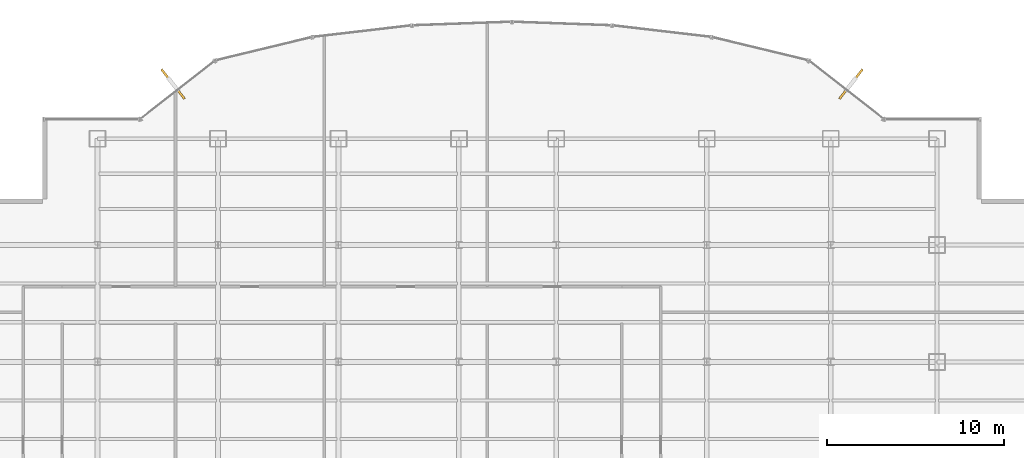
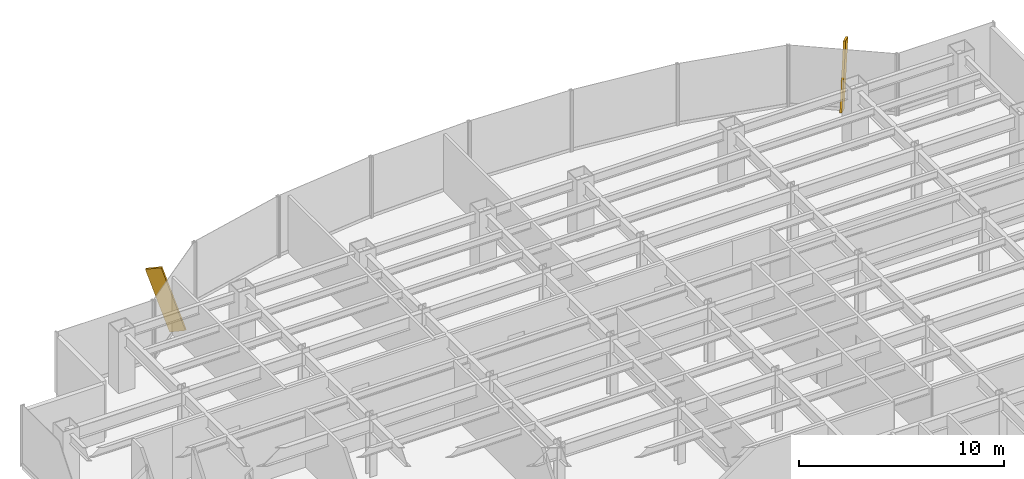
# One storey, part 22 of 23: 2 shading devices.
"""IFC4 building model written with IfcOpenShell, lengths in metres."""

import ifcopenshell
import ifcopenshell.guid

model = None  # the IFC model being written
_history = None  # IfcOwnerHistory: only IFC2X3 demands one
_inside = {}  # id of a spatial element -> (the spatial element, [elements in it])
_under = {}  # id of a project, library or spatial element -> (it, [spatial elements below it])
_declared = {}  # id of a project -> (the project, [libraries it declares])
_typed = {}  # id of a type object -> (the type object, [elements of that type])
_made_of = {}  # id of a material, layer set ... -> (it, [elements and type objects made of it])


def new_model(schema):
    """Start an empty IFC model of exactly this schema.

    Asked for "IFC4X3", IfcOpenShell would pick the latest addendum, in which some entities
    have other attributes; the version numbers below select the first issue.
    IFC2X3 requires an IfcOwnerHistory on every rooted entity: one is made here for all.
    """
    global model, _history
    if schema == "IFC4X3":
        model = ifcopenshell.file(schema_version=(4, 3, 0, 0))
    else:
        model = ifcopenshell.file(schema=schema)
    _inside.clear()
    _under.clear()
    _declared.clear()
    _typed.clear()
    _made_of.clear()
    _history = None
    if model.schema == "IFC2X3":
        org = make("IfcOrganization", Name="unknown")
        user = make(
            "IfcPersonAndOrganization",
            ThePerson=make("IfcPerson", FamilyName="unknown"),
            TheOrganization=org,
        )
        app = make(
            "IfcApplication",
            ApplicationDeveloper=org,
            Version="unknown",
            ApplicationFullName="unknown",
            ApplicationIdentifier="unknown",
        )
        _history = make(
            "IfcOwnerHistory",
            OwningUser=user,
            OwningApplication=app,
            ChangeAction="ADDED",
            CreationDate=0,
        )
    return model


def make(cls, **values):
    """One entity of the class cls with the attributes given. An attribute that is None is left unset."""
    return model.create_entity(
        cls, **{name: value for name, value in values.items() if value is not None}
    )


def rooted(cls, **values):
    """An entity with a GlobalId (a new one), such as an element, a storey or a relation."""
    return make(cls, GlobalId=ifcopenshell.guid.new(), OwnerHistory=_history, **values)


def si_unit(unit_type, name, prefix=None):
    """IfcSIUnit, for example si_unit("LENGTHUNIT", "METRE", prefix="MILLI")."""
    return make("IfcSIUnit", UnitType=unit_type, Prefix=prefix, Name=name)


def derived_unit(unit_type, elements):
    """IfcDerivedUnit: a product of units, each with its exponent."""
    return make(
        "IfcDerivedUnit",
        Elements=[
            make("IfcDerivedUnitElement", Unit=unit, Exponent=power)
            for unit, power in elements
        ],
        UnitType=unit_type,
    )


def assignment(units):
    """IfcUnitAssignment: the units of a project."""
    return None if units is None else make("IfcUnitAssignment", Units=units)


def point(xyz):
    """IfcCartesianPoint."""
    return None if xyz is None else make("IfcCartesianPoint", Coordinates=xyz)


def direction(xyz):
    """IfcDirection."""
    return None if xyz is None else make("IfcDirection", DirectionRatios=xyz)


def frame(location, z_axis=None, x_axis=None):
    """IfcAxis2Placement3D, a coordinate frame: its origin and axes. An axis left out is left unset."""
    return make(
        "IfcAxis2Placement3D",
        Location=point(location),
        Axis=direction(z_axis),
        RefDirection=direction(x_axis),
    )


def frame_2d(location, x_axis=None):
    """IfcAxis2Placement2D, a coordinate frame in the plane: its origin and x axis."""
    return make(
        "IfcAxis2Placement2D", Location=point(location), RefDirection=direction(x_axis)
    )


def origin():
    """The frame at (0, 0, 0) with its axes left unset."""
    return frame((0.0, 0.0, 0.0))


def origin_2d():
    """The frame at (0, 0) in the plane with its x axis left unset."""
    return frame_2d((0.0, 0.0))


def place(relative_to, where):
    """IfcLocalPlacement: puts the frame where relative to a parent placement (None: the world)."""
    return make(
        "IfcLocalPlacement", PlacementRelTo=relative_to, RelativePlacement=where
    )


def context(
    kind, dimensions, precision=None, world=None, true_north=None, identifier=None
):
    """IfcGeometricRepresentationContext, for example the 3D "Model" context."""
    return make(
        "IfcGeometricRepresentationContext",
        ContextIdentifier=identifier,
        ContextType=kind,
        CoordinateSpaceDimension=dimensions,
        Precision=precision,
        WorldCoordinateSystem=world,
        TrueNorth=true_north,
    )


def subcontext(parent, identifier, kind, view, scale=None):
    """IfcGeometricRepresentationSubContext, for example "Body" below "Model"."""
    return make(
        "IfcGeometricRepresentationSubContext",
        ContextIdentifier=identifier,
        ContextType=kind,
        ParentContext=parent,
        TargetScale=scale,
        TargetView=view,
    )


def project(units=None, contexts=None):
    """IfcProject with its units and contexts."""
    return rooted(
        "IfcProject",
        Name="project",
        RepresentationContexts=contexts,
        UnitsInContext=assignment(units),
    )


def spatial(cls, under=None, at=None, **own):
    """A site, building, storey or space (cls), placed at a placement, below another one or the project."""
    s = rooted(cls, ObjectPlacement=at, **own)
    if under is not None:
        _under.setdefault(under.id(), (under, []))[1].append(s)
    return s


def profile(cls, at=None, kind="AREA", **sizes):
    """A parametric profile (cls). Its sizes go by their IFC names, for example OverallWidth=200.0."""
    return make(cls, ProfileType=kind, Position=at, **sizes)


def rectangle(**sizes):
    """IfcRectangleProfileDef."""
    return profile("IfcRectangleProfileDef", **sizes)


def extrude(swept, where, along, depth):
    """IfcExtrudedAreaSolid: the profile swept, set in the frame where, extruded along a direction by depth."""
    return make(
        "IfcExtrudedAreaSolid",
        SweptArea=swept,
        Position=where,
        ExtrudedDirection=direction(along),
        Depth=depth,
    )


def shape(context_of_items, identifier, shape_type, items):
    """IfcShapeRepresentation: the items that make up one representation, for example the "Body"."""
    return make(
        "IfcShapeRepresentation",
        ContextOfItems=context_of_items,
        RepresentationIdentifier=identifier,
        RepresentationType=shape_type,
        Items=items,
    )


def source(mapping_origin, context_of_items, identifier, shape_type, items):
    """IfcRepresentationMap: a shape defined once, which mapped items show again and again."""
    return make(
        "IfcRepresentationMap",
        MappingOrigin=mapping_origin,
        MappedRepresentation=shape(context_of_items, identifier, shape_type, items),
    )


def transform(
    local_origin,
    x_axis=None,
    y_axis=None,
    z_axis=None,
    scale=None,
    scale2=None,
    scale3=None,
    uniform=True,
):
    """IfcCartesianTransformationOperator3D, or its non-uniform kind. x_axis, y_axis, z_axis: its Axis1, 2, 3."""
    if uniform:
        return make(
            "IfcCartesianTransformationOperator3D",
            Axis1=direction(x_axis),
            Axis2=direction(y_axis),
            LocalOrigin=point(local_origin),
            Scale=scale,
            Axis3=direction(z_axis),
        )
    return make(
        "IfcCartesianTransformationOperator3DnonUniform",
        Axis1=direction(x_axis),
        Axis2=direction(y_axis),
        LocalOrigin=point(local_origin),
        Scale=scale,
        Axis3=direction(z_axis),
        Scale2=scale2,
        Scale3=scale3,
    )


def mapped(mapping_source, mapping_target):
    """IfcMappedItem: shows the shape of a source again, moved by a transform."""
    return make(
        "IfcMappedItem", MappingSource=mapping_source, MappingTarget=mapping_target
    )


def material(Name=None, Category=None):
    """IfcMaterial."""
    return make("IfcMaterial", Name=Name, Category=Category)


def made_of(thing, what):
    """Note that an element or type object is made of a material, layer set ...; save() writes the relation."""
    if what is not None:
        _made_of.setdefault(what.id(), (what, []))[1].append(thing)
    return thing


def type_object(cls, material=None, **own):
    """A type object (cls), such as IfcWallType, which elements share."""
    return made_of(rooted(cls, **own), material)


def element(
    cls,
    number,
    at=None,
    inside=None,
    cuts=None,
    type_object=None,
    material=None,
    context=None,
    identifier="Body",
    shape_type=None,
    held_by="IfcProductDefinitionShape",
    body=None,
    shapes=None,
    **own,
):
    """One element of the class cls, such as IfcWall. Its Tag is "e" and its number.

    at: its placement. inside: the storey or other place that contains it. cuts: it is an
    opening in that element (IfcRelVoidsElement). A single representation is given by context,
    identifier, shape_type and body (its items); several are given by shapes. held_by: the class
    of the entity that holds the representations. save() writes the other relations.
    """
    e = rooted(cls, Tag="e%d" % number, ObjectPlacement=at, **own)
    if body is not None:
        shapes = [shape(context, identifier, shape_type, body)]
    if shapes is not None:
        e.Representation = make(held_by, Representations=shapes)
    if inside is not None:
        _inside.setdefault(inside.id(), (inside, []))[1].append(e)
    if cuts is not None:
        rooted(
            "IfcRelVoidsElement", RelatingBuildingElement=cuts, RelatedOpeningElement=e
        )
    if type_object is not None:
        _typed.setdefault(type_object.id(), (type_object, []))[1].append(e)
    return made_of(e, material)


def aggregate(whole, parts):
    """IfcRelAggregates: a whole, such as a stair, and the parts it consists of."""
    return rooted("IfcRelAggregates", RelatingObject=whole, RelatedObjects=parts)


def save(model, path):
    """Write the relations noted so far, then the file.

    IfcRelAggregates (storeys below a building ...), IfcRelContainedInSpatialStructure (elements
    in a storey), IfcRelDefinesByType, IfcRelAssociatesMaterial and IfcRelDeclares: one each for
    every whole, place, type object, material and project.
    """
    for whole, parts in _under.values():
        aggregate(whole, parts)
    for where, things in _inside.values():
        rooted(
            "IfcRelContainedInSpatialStructure",
            RelatedElements=things,
            RelatingStructure=where,
        )
    for kind, things in _typed.values():
        rooted("IfcRelDefinesByType", RelatedObjects=things, RelatingType=kind)
    for what, things in _made_of.values():
        rooted("IfcRelAssociatesMaterial", RelatedObjects=things, RelatingMaterial=what)
    for by, libraries in _declared.values():
        rooted("IfcRelDeclares", RelatingContext=by, RelatedDefinitions=libraries)
    model.write(path)


model = new_model("IFC4")

# Units and contexts
model_context = context("Model", 3, precision=1e-05, world=origin(), true_north=direction((0.0, 1.0)))
body_context = subcontext(model_context, "Body", "Model", "MODEL_VIEW")
ifc_project = project(units=[si_unit("LENGTHUNIT", "METRE"), si_unit("AREAUNIT", "SQUARE_METRE"), si_unit("VOLUMEUNIT", "CUBIC_METRE"), si_unit("PLANEANGLEUNIT", "RADIAN"), si_unit("MASSUNIT", "GRAM", prefix="KILO"), derived_unit("THERMALTRANSMITTANCEUNIT", [(si_unit("POWERUNIT", "WATT"), 1), (si_unit("LENGTHUNIT", "METRE"), -2), (si_unit("THERMODYNAMICTEMPERATUREUNIT", "KELVIN"), -1)])], contexts=[model_context])

# Site, building, storey
site_placement = place(None, origin())
site = spatial("IfcSite", under=ifc_project, at=site_placement, CompositionType="ELEMENT")
building_placement = place(site_placement, origin())
building = spatial("IfcBuilding", under=site, at=building_placement, Name="Skarnbrae Concourse Arena and Tower", CompositionType="ELEMENT")
storey_placement = place(building_placement, frame((0.0, 0.0, 47.10009765625)))
storey = spatial("IfcBuildingStorey", under=building, at=storey_placement, Name="L10", CompositionType="ELEMENT", Elevation=47.10009765625)

# Shading devices
ifc_material = material(Name="Bronze anodised aluminium 6063-T6", Category="aluminium")
shading_device_type = type_object("IfcShadingDeviceType", Name="SHD-BRONZE-FIN-900", PredefinedType="USERDEFINED", material=ifc_material)
shared_shape = source(origin(), body_context, "Body", "SweptSolid", [
    extrude(rectangle(XDim=0.1201171875, YDim=0.89990234375, at=origin_2d()), origin(), (0.0, 0.0, 1.0), 3.64990234375),
])
for number, where, z_axis, x_axis, name in (
    (1, (49.74755859375, 42.982666015625, 0.115966796875), (0.216070241151, 0.276229215195, 0.936488692704), (0.787656027369, -0.616115234797, 0.0), "L10 Outward-leaning bronze shading fin 08"),
    (2, (12.25244140625, 42.982666015625, 0.115966796875), (-0.216070241151, 0.276229215195, 0.936488692704), (0.787656027369, 0.616115234797, 0.0), "L10 Outward-leaning bronze shading fin 15"),
):
    element("IfcShadingDevice", number, at=place(storey_placement, frame(where, z_axis=z_axis, x_axis=x_axis)), inside=storey, type_object=shading_device_type, Name=name, ObjectType="FIN", PredefinedType="USERDEFINED", context=body_context, shape_type="MappedRepresentation", body=[
        mapped(shared_shape, transform((0.0, 0.0, 0.0))),
    ])

save(model, "model.ifc")
